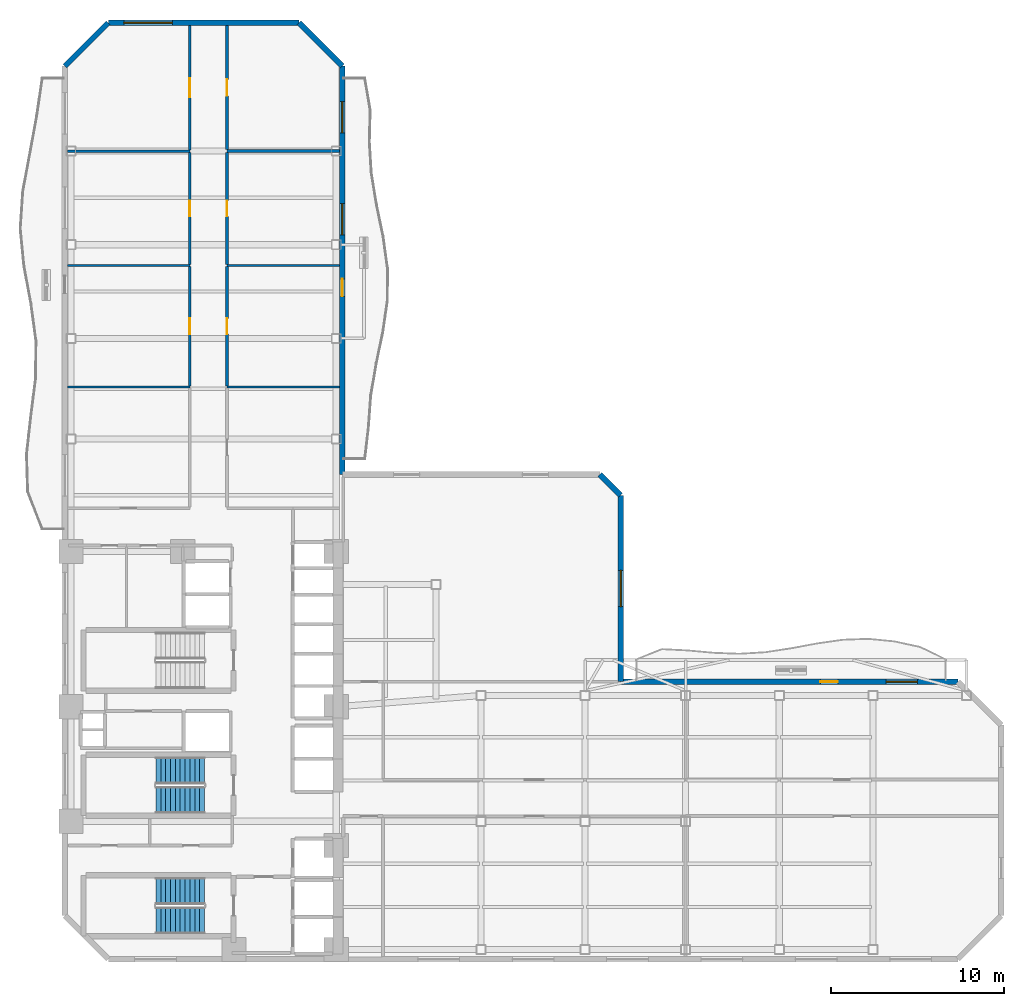
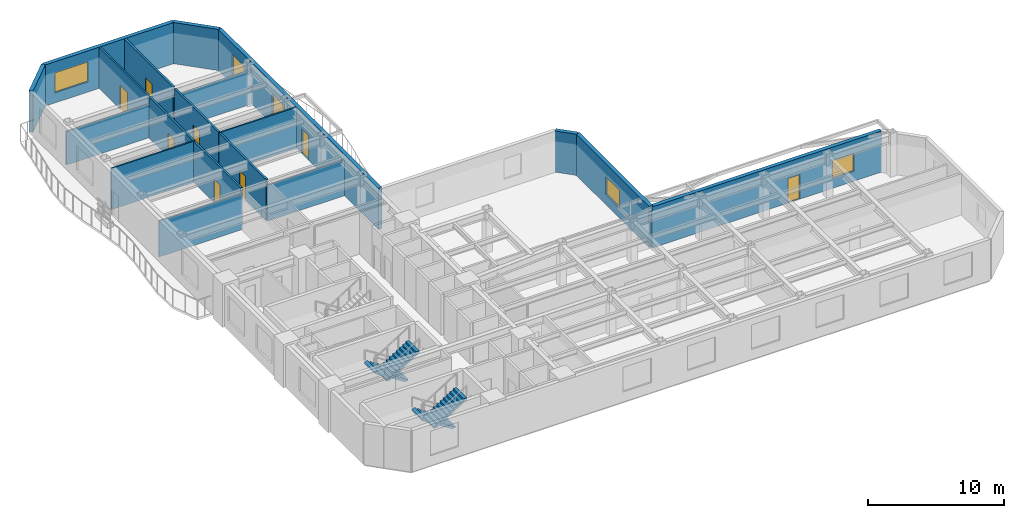
# One storey, part 6 of 10: 19 walls, 8 doors, 5 windows, 4 stair flights, 13 openings, 2 elements without a shape of their own.
"""IFC4 building model written with IfcOpenShell, lengths in metres."""

from ifc_helpers import new_model, si_unit, direction, frame, frame_2d, origin, place, context, subcontext, project, spatial, polyline, rectangle, outline, extrude, material, layer, layer_set, type_object, element, fill, aggregate, save


model = new_model("IFC4")

# Units and contexts
model_context = context("Model", 3, precision=1e-05, world=origin(), true_north=direction((0.0, 1.0)))
body_context = subcontext(model_context, "Body", "Model", "MODEL_VIEW")
ifc_project = project(units=[si_unit("LENGTHUNIT", "METRE"), si_unit("AREAUNIT", "SQUARE_METRE"), si_unit("VOLUMEUNIT", "CUBIC_METRE"), si_unit("PLANEANGLEUNIT", "RADIAN"), si_unit("MASSUNIT", "GRAM", prefix="KILO")], contexts=[model_context])

# Site, building, storey
site_placement = place(None, origin())
site = spatial("IfcSite", under=ifc_project, at=site_placement, CompositionType="ELEMENT")
building_placement = place(site_placement, origin())
building = spatial("IfcBuilding", under=site, at=building_placement, Name="Mawjaban Terraces University", CompositionType="ELEMENT")
storey_placement = place(building_placement, frame((0.0, 0.0, 46.60009765625)))
storey = spatial("IfcBuildingStorey", under=building, at=storey_placement, Name="L10", CompositionType="ELEMENT", Elevation=46.60009765625)

# Wall
ifc_material_1 = material(Name="Acoustic masonry blockwork", Category="masonry")
ifc_layer_1 = layer(ifc_material_1, 0.179931640625)
ifc_layer_set_1 = layer_set([ifc_layer_1], Name="Acoustic masonry blockwork")
wall_type_1 = type_object("IfcWallType", Name="AcousticStudioWall_180", PredefinedType="PARTITIONING", material=ifc_layer_set_1)
wall_1_placement = place(storey_placement, frame((37.844970703125, 46.60009765625, 0.0), z_axis=(0.0, 0.0, 1.0), x_axis=(-1.0, 0.0, 0.0)))
element("IfcWall", 1, at=wall_1_placement, inside=storey, type_object=wall_type_1, Name="L10 Student Tea Pantry 11 Partition 18", PredefinedType="PARTITIONING", context=body_context, shape_type="SweptSolid", body=[
    extrude(rectangle(XDim=6.494873046875, YDim=0.179931640625, at=frame_2d((3.24755859375, 0.0))), origin(), (0.0, 0.0, 1.0), 2.994873046875),
])

# Wall, opening, door
wall_2_placement = place(storey_placement, frame((31.35009765625, 46.68505859375, 0.0), z_axis=(0.0, 0.0, 1.0), x_axis=(0.0, 1.0, 0.0)))
wall_2 = element("IfcWall", 2, at=wall_2_placement, inside=storey, type_object=wall_type_1, Name="L10 North Academic Spine Corridor Partition 37", PredefinedType="PARTITIONING", context=body_context, shape_type="SweptSolid", body=[
    extrude(rectangle(XDim=7.159912109375, YDim=0.179931640625, at=frame_2d((3.580078125, 0.0))), origin(), (0.0, 0.0, 1.0), 3.68994140625),
])
opening_1_placement = place(wall_2_placement, frame((3.10498046875, 0.0, 0.0)))
opening_1 = element("IfcOpeningElement", 3, at=opening_1_placement, cuts=wall_2, Name="Opening ID-095", PredefinedType="OPENING", context=body_context, shape_type="SweptSolid", body=[
    extrude(rectangle(XDim=0.949951171875, YDim=2.10009765625, at=frame_2d((0.47509765625, 1.050048828125))), frame((0.0, 0.099853515625, 0.0), z_axis=(0.0, -1.0, 0.0), x_axis=(1.0, 0.0, 0.0)), (0.0, 0.0, 1.0), 0.199951171875),
])
ifc_material_2 = material(Name="Powder-coated steel frame and solid acoustic timber leaf", Category="steel")
door_type_1 = type_object("IfcDoorType", Name="StudioDoor_950x2100", OperationType="NOTDEFINED", PredefinedType="DOOR", material=ifc_material_2)
door_1_placement = place(opening_1_placement, origin())
door_1 = element("IfcDoor", 4, at=door_1_placement, inside=storey, type_object=door_type_1, Name="L10 Design Studio 13 Door", OperationType="SINGLE_SWING_RIGHT", OverallHeight=2.10009765625, OverallWidth=0.949951171875, PredefinedType="DOOR", context=body_context, shape_type="SweptSolid", body=[
    extrude(rectangle(XDim=0.949951171875, YDim=2.10009765625, at=frame_2d((0.47509765625, 1.050048828125))), frame((0.0, 0.02490234375, 0.0), z_axis=(0.0, -1.0, 0.0), x_axis=(1.0, 0.0, 0.0)), (0.0, 0.0, 1.0), 0.050048828125),
])
fill(opening_1, door_1)

ifc_material_3 = material(Name="Fire-rated gypsum board on steel stud", Category="steel")
ifc_layer_2 = layer(ifc_material_3, 0.159912109375)
ifc_layer_set_2 = layer_set([ifc_layer_2], Name="Fire-rated gypsum board on steel stud")
wall_type_2 = type_object("IfcWallType", Name="CorridorPartition_160", PredefinedType="PARTITIONING", material=ifc_layer_set_2)
wall_3_placement = place(storey_placement, frame((29.199951171875, 39.943115234375, 0.0), z_axis=(0.0, 0.0, 1.0), x_axis=(0.0, -1.0, 0.0)))
wall_3 = element("IfcWall", 5, at=wall_3_placement, inside=storey, type_object=wall_type_2, Name="L10 North Academic Spine Corridor Partition 31", PredefinedType="PARTITIONING", context=body_context, shape_type="SweptSolid", body=[
    extrude(rectangle(XDim=6.88623046875, YDim=0.159912109375, at=frame_2d((3.443115234375, 0.0))), origin(), (0.0, 0.0, 1.0), 3.68994140625),
])
opening_2_placement = place(wall_3_placement, frame((2.992919921875, 0.0, 0.0)))
opening_2 = element("IfcOpeningElement", 6, at=opening_2_placement, cuts=wall_3, Name="Opening ID-090", PredefinedType="OPENING", context=body_context, shape_type="SweptSolid", body=[
    extrude(rectangle(XDim=0.89990234375, YDim=2.10009765625, at=frame_2d((0.449951171875, 1.050048828125))), frame((0.0, 0.08984375, 0.0), z_axis=(0.0, -1.0, 0.0), x_axis=(1.0, 0.0, 0.0)), (0.0, 0.0, 1.0), 0.179931640625),
])
door_type_2 = type_object("IfcDoorType", Name="OfficeDoor_900x2100", OperationType="NOTDEFINED", PredefinedType="DOOR", material=ifc_material_2)
door_2_placement = place(opening_2_placement, origin())
door_2 = element("IfcDoor", 7, at=door_2_placement, inside=storey, type_object=door_type_2, Name="L10 Faculty Office 8 Door", OperationType="SINGLE_SWING_LEFT", OverallHeight=2.10009765625, OverallWidth=0.89990234375, PredefinedType="DOOR", context=body_context, shape_type="SweptSolid", body=[
    extrude(rectangle(XDim=0.89990234375, YDim=2.10009765625, at=frame_2d((0.449951171875, 1.050048828125))), frame((0.0, 0.02490234375, 0.0), z_axis=(0.0, -1.0, 0.0), x_axis=(1.0, 0.0, 0.0)), (0.0, 0.0, 1.0), 0.050048828125),
])
fill(opening_2, door_2)

wall_4_placement = place(storey_placement, frame((29.199951171875, 46.531982421875, 0.0), z_axis=(0.0, 0.0, 1.0), x_axis=(0.0, -1.0, 0.0)))
wall_4 = element("IfcWall", 8, at=wall_4_placement, inside=storey, type_object=wall_type_2, Name="L10 North Academic Spine Corridor Partition 32", PredefinedType="PARTITIONING", context=body_context, shape_type="SweptSolid", body=[
    extrude(rectangle(XDim=6.47509765625, YDim=0.159912109375, at=frame_2d((3.237548828125, 0.0))), origin(), (0.0, 0.0, 1.0), 3.68994140625),
])
opening_3_placement = place(wall_4_placement, frame((2.787109375, 0.0, 0.0)))
opening_3 = element("IfcOpeningElement", 9, at=opening_3_placement, cuts=wall_4, Name="Opening ID-090", PredefinedType="OPENING", context=body_context, shape_type="SweptSolid", body=[
    extrude(rectangle(XDim=0.89990234375, YDim=2.10009765625, at=frame_2d((0.449951171875, 1.050048828125))), frame((0.0, 0.08984375, 0.0), z_axis=(0.0, -1.0, 0.0), x_axis=(1.0, 0.0, 0.0)), (0.0, 0.0, 1.0), 0.179931640625),
])
door_3_placement = place(opening_3_placement, origin())
door_3 = element("IfcDoor", 10, at=door_3_placement, inside=storey, type_object=door_type_2, Name="L10 Faculty Office 10 Door", OperationType="SINGLE_SWING_LEFT", OverallHeight=2.10009765625, OverallWidth=0.89990234375, PredefinedType="DOOR", context=body_context, shape_type="SweptSolid", body=[
    extrude(rectangle(XDim=0.89990234375, YDim=2.10009765625, at=frame_2d((0.449951171875, 1.050048828125))), frame((0.0, 0.02490234375, 0.0), z_axis=(0.0, -1.0, 0.0), x_axis=(1.0, 0.0, 0.0)), (0.0, 0.0, 1.0), 0.050048828125),
])
fill(opening_3, door_3)

wall_5_placement = place(storey_placement, frame((31.35009765625, 33.056884765625, 0.0), z_axis=(0.0, 0.0, 1.0), x_axis=(0.0, 1.0, 0.0)))
wall_5 = element("IfcWall", 11, at=wall_5_placement, inside=storey, type_object=wall_type_2, Name="L10 North Academic Spine Corridor Partition 35", PredefinedType="PARTITIONING", context=body_context, shape_type="SweptSolid", body=[
    extrude(rectangle(XDim=6.88623046875, YDim=0.159912109375, at=frame_2d((3.443115234375, 0.0))), origin(), (0.0, 0.0, 1.0), 3.68994140625),
])
opening_4_placement = place(wall_5_placement, frame((2.992919921875, 0.0, 0.0)))
opening_4 = element("IfcOpeningElement", 12, at=opening_4_placement, cuts=wall_5, Name="Opening ID-090", PredefinedType="OPENING", context=body_context, shape_type="SweptSolid", body=[
    extrude(rectangle(XDim=0.89990234375, YDim=2.10009765625, at=frame_2d((0.449951171875, 1.050048828125))), frame((0.0, 0.08984375, 0.0), z_axis=(0.0, -1.0, 0.0), x_axis=(1.0, 0.0, 0.0)), (0.0, 0.0, 1.0), 0.179931640625),
])
door_4_placement = place(opening_4_placement, origin())
door_4 = element("IfcDoor", 13, at=door_4_placement, inside=storey, type_object=door_type_2, Name="L10 Departmental Office 9 Door", OperationType="SINGLE_SWING_RIGHT", OverallHeight=2.10009765625, OverallWidth=0.89990234375, PredefinedType="DOOR", context=body_context, shape_type="SweptSolid", body=[
    extrude(rectangle(XDim=0.89990234375, YDim=2.10009765625, at=frame_2d((0.449951171875, 1.050048828125))), frame((0.0, 0.02490234375, 0.0), z_axis=(0.0, -1.0, 0.0), x_axis=(1.0, 0.0, 0.0)), (0.0, 0.0, 1.0), 0.050048828125),
])
fill(opening_4, door_4)

wall_6_placement = place(storey_placement, frame((31.35009765625, 40.056884765625, 0.0), z_axis=(0.0, 0.0, 1.0), x_axis=(0.0, 1.0, 0.0)))
wall_6 = element("IfcWall", 14, at=wall_6_placement, inside=storey, type_object=wall_type_2, Name="L10 North Academic Spine Corridor Partition 36", PredefinedType="PARTITIONING", context=body_context, shape_type="SweptSolid", body=[
    extrude(rectangle(XDim=6.4580078125, YDim=0.159912109375, at=frame_2d((3.22900390625, 0.0))), origin(), (0.0, 0.0, 1.0), 3.68994140625),
])
opening_5_placement = place(wall_6_placement, frame((2.779052734375, 0.0, 0.0)))
opening_5 = element("IfcOpeningElement", 15, at=opening_5_placement, cuts=wall_6, Name="Opening ID-090", PredefinedType="OPENING", context=body_context, shape_type="SweptSolid", body=[
    extrude(rectangle(XDim=0.89990234375, YDim=2.10009765625, at=frame_2d((0.449951171875, 1.050048828125))), frame((0.0, 0.08984375, 0.0), z_axis=(0.0, -1.0, 0.0), x_axis=(1.0, 0.0, 0.0)), (0.0, 0.0, 1.0), 0.179931640625),
])
door_5_placement = place(opening_5_placement, origin())
door_5 = element("IfcDoor", 16, at=door_5_placement, inside=storey, type_object=door_type_2, Name="L10 Student Tea Pantry 11 Door", OperationType="SINGLE_SWING_RIGHT", OverallHeight=2.10009765625, OverallWidth=0.89990234375, PredefinedType="DOOR", context=body_context, shape_type="SweptSolid", body=[
    extrude(rectangle(XDim=0.89990234375, YDim=2.10009765625, at=frame_2d((0.449951171875, 1.050048828125))), frame((0.0, 0.02490234375, 0.0), z_axis=(0.0, -1.0, 0.0), x_axis=(1.0, 0.0, 0.0)), (0.0, 0.0, 1.0), 0.050048828125),
])
fill(opening_5, door_5)

# Wall, openings, door, window
ifc_material_4 = material(Name="Insulated terracotta rainscreen on concrete backup C40/50", Category="masonry")
ifc_layer_3 = layer(ifc_material_4, 0.320068359375)
ifc_layer_set_3 = layer_set([ifc_layer_3], Name="Insulated terracotta rainscreen on concrete backup C40/50")
wall_type_3 = type_object("IfcWallType", Name="ExtTerracottaWall_320", PredefinedType="SOLIDWALL", material=ifc_layer_set_3)
wall_7_placement = place(storey_placement, frame((73.5, 16.0, 0.0), z_axis=(0.0, 0.0, 1.0), x_axis=(-1.0, 0.0, 0.0)))
wall_7 = element("IfcWall", 17, at=wall_7_placement, inside=storey, type_object=wall_type_3, Name="L10 Exterior Terracotta Wall 5", PredefinedType="SOLIDWALL", context=body_context, shape_type="SweptSolid", body=[
    extrude(rectangle(XDim=19.449951171875, YDim=0.320068359375, at=frame_2d((9.72509765625, 0.0))), origin(), (0.0, 0.0, 1.0), 3.68994140625),
])
opening_6_placement = place(wall_7_placement, frame((6.925048828125, 0.0, 0.0)))
opening_6 = element("IfcOpeningElement", 18, at=opening_6_placement, cuts=wall_7, Name="Opening BD-100", PredefinedType="OPENING", context=body_context, shape_type="SweptSolid", body=[
    extrude(rectangle(XDim=1.0, YDim=2.199951171875, at=frame_2d((0.5, 1.10009765625))), frame((0.0, 0.169921875, 0.0), z_axis=(0.0, -1.0, 0.0), x_axis=(1.0, 0.0, 0.0)), (0.0, 0.0, 1.0), 0.340087890625),
])
opening_7_placement = place(wall_7_placement, frame((2.342041015625, 0.0, 0.89990234375)))
opening_7 = element("IfcOpeningElement", 19, at=opening_7_placement, cuts=wall_7, Name="Opening W-03", PredefinedType="OPENING", context=body_context, shape_type="SweptSolid", body=[
    extrude(rectangle(XDim=1.800048828125, YDim=1.60009765625, at=frame_2d((0.89990234375, 0.800048828125))), frame((0.0, 0.169921875, 0.0), z_axis=(0.0, -1.0, 0.0), x_axis=(1.0, 0.0, 0.0)), (0.0, 0.0, 1.0), 0.340087890625),
])
ifc_material_5 = material(Name="Thermally broken anodised aluminium and laminated safety glass", Category="aluminium")
door_type_3 = type_object("IfcDoorType", Name="BalconyGlazedDoor_1000x2200", OperationType="NOTDEFINED", PredefinedType="DOOR", material=ifc_material_5)
door_6_placement = place(opening_6_placement, origin())
door_6 = element("IfcDoor", 20, at=door_6_placement, inside=storey, type_object=door_type_3, Name="L10 Balcony Access Door inner_north", OperationType="SINGLE_SWING_LEFT", OverallHeight=2.199951171875, OverallWidth=1.0, PredefinedType="DOOR", context=body_context, shape_type="SweptSolid", body=[
    extrude(rectangle(XDim=1.0, YDim=2.199951171875, at=frame_2d((0.5, 1.10009765625))), frame((0.0, 0.02490234375, 0.0), z_axis=(0.0, -1.0, 0.0), x_axis=(1.0, 0.0, 0.0)), (0.0, 0.0, 1.0), 0.050048828125),
])
fill(opening_6, door_6)
ifc_material_6 = material(Name="Low-E solar-control double glazing in thermally broken aluminium frame", Category="aluminium")
window_type_1 = type_object("IfcWindowType", Name="Win_1800x1600", PartitioningType="SINGLE_PANEL", PredefinedType="WINDOW", material=ifc_material_6)
window_1_placement = place(opening_7_placement, origin())
window_1 = element("IfcWindow", 21, at=window_1_placement, inside=storey, type_object=window_type_1, Name="L10 Facade Window 5.1", OverallHeight=1.60009765625, OverallWidth=1.800048828125, PartitioningType="SINGLE_PANEL", PredefinedType="WINDOW", context=body_context, shape_type="SweptSolid", body=[
    extrude(rectangle(XDim=1.800048828125, YDim=1.60009765625, at=frame_2d((0.89990234375, 0.800048828125))), frame((0.0, 0.030029296875, 0.0), z_axis=(0.0, -1.0, 0.0), x_axis=(1.0, 0.0, 0.0)), (0.0, 0.0, 1.0), 0.06005859375),
])
fill(opening_7, window_1)

# Wall, opening, window
wall_8_placement = place(storey_placement, frame((54.050048828125, 16.0, 0.0), z_axis=(0.0, 0.0, 1.0), x_axis=(0.0, 1.0, 0.0)))
wall_8 = element("IfcWall", 22, at=wall_8_placement, inside=storey, type_object=wall_type_3, Name="L10 Exterior Terracotta Wall 6", PredefinedType="SOLIDWALL", context=body_context, shape_type="SweptSolid", body=[
    extrude(rectangle(XDim=10.7470703125, YDim=0.320068359375, at=frame_2d((5.37353515625, 0.0))), origin(), (0.0, 0.0, 1.0), 3.68994140625),
])
opening_8_placement = place(wall_8_placement, frame((4.323974609375, 0.0, 0.89990234375)))
opening_8 = element("IfcOpeningElement", 23, at=opening_8_placement, cuts=wall_8, Name="Opening W-04", PredefinedType="OPENING", context=body_context, shape_type="SweptSolid", body=[
    extrude(rectangle(XDim=2.10009765625, YDim=1.60009765625, at=frame_2d((1.050048828125, 0.800048828125))), frame((0.0, 0.169921875, 0.0), z_axis=(0.0, -1.0, 0.0), x_axis=(1.0, 0.0, 0.0)), (0.0, 0.0, 1.0), 0.340087890625),
])
window_type_2 = type_object("IfcWindowType", Name="Win_2100x1600", PartitioningType="SINGLE_PANEL", PredefinedType="WINDOW", material=ifc_material_6)
window_2_placement = place(opening_8_placement, origin())
window_2 = element("IfcWindow", 24, at=window_2_placement, inside=storey, type_object=window_type_2, Name="L10 Facade Window 6.1", OverallHeight=1.60009765625, OverallWidth=2.10009765625, PartitioningType="SINGLE_PANEL", PredefinedType="WINDOW", context=body_context, shape_type="SweptSolid", body=[
    extrude(rectangle(XDim=2.10009765625, YDim=1.60009765625, at=frame_2d((1.050048828125, 0.800048828125))), frame((0.0, 0.030029296875, 0.0), z_axis=(0.0, -1.0, 0.0), x_axis=(1.0, 0.0, 0.0)), (0.0, 0.0, 1.0), 0.06005859375),
])
fill(opening_8, window_2)

# Wall
wall_9_placement = place(storey_placement, frame((54.050048828125, 26.7470703125, 0.0), z_axis=(0.0, 0.0, 1.0), x_axis=(-0.707106781187, 0.707106781187, 0.0)))
element("IfcWall", 25, at=wall_9_placement, inside=storey, type_object=wall_type_3, Name="L10 Exterior Terracotta Wall 7", PredefinedType="SOLIDWALL", context=body_context, shape_type="SweptSolid", body=[
    extrude(rectangle(XDim=1.697021484375, YDim=0.320068359375, at=frame_2d((0.8486328125, 0.0))), origin(), (0.0, 0.0, 1.0), 3.68994140625),
])

# Wall, openings, door, windows
wall_10_placement = place(storey_placement, frame((38.0, 27.947021484375, 0.0), z_axis=(0.0, 0.0, 1.0), x_axis=(0.0, 1.0, 0.0)))
wall_10 = element("IfcWall", 26, at=wall_10_placement, inside=storey, type_object=wall_type_3, Name="L10 Exterior Terracotta Wall 9", PredefinedType="SOLIDWALL", context=body_context, shape_type="SweptSolid", body=[
    extrude(rectangle(XDim=23.552978515625, YDim=0.320068359375, at=frame_2d((11.7763671875, 0.0))), origin(), (0.0, 0.0, 1.0), 3.68994140625),
])
opening_9_placement = place(wall_10_placement, frame((10.27587890625, 0.0, 0.0)))
opening_9 = element("IfcOpeningElement", 27, at=opening_9_placement, cuts=wall_10, Name="Opening BD-100", PredefinedType="OPENING", context=body_context, shape_type="SweptSolid", body=[
    extrude(rectangle(XDim=1.0, YDim=2.199951171875, at=frame_2d((0.5, 1.10009765625))), frame((0.0, 0.169921875, 0.0), z_axis=(0.0, -1.0, 0.0), x_axis=(1.0, 0.0, 0.0)), (0.0, 0.0, 1.0), 0.340087890625),
])
opening_10_placement = place(wall_10_placement, frame((13.821044921875, 0.0, 0.89990234375)))
opening_10 = element("IfcOpeningElement", 28, at=opening_10_placement, cuts=wall_10, Name="Opening W-07", PredefinedType="OPENING", context=body_context, shape_type="SweptSolid", body=[
    extrude(rectangle(XDim=1.800048828125, YDim=1.800048828125, at=frame_2d((0.89990234375, 0.89990234375))), frame((0.0, 0.169921875, 0.0), z_axis=(0.0, -1.0, 0.0), x_axis=(1.0, 0.0, 0.0)), (0.0, 0.0, 1.0), 0.340087890625),
])
opening_11_placement = place(wall_10_placement, frame((19.708984375, 0.0, 0.89990234375)))
opening_11 = element("IfcOpeningElement", 29, at=opening_11_placement, cuts=wall_10, Name="Opening W-07", PredefinedType="OPENING", context=body_context, shape_type="SweptSolid", body=[
    extrude(rectangle(XDim=1.800048828125, YDim=1.800048828125, at=frame_2d((0.89990234375, 0.89990234375))), frame((0.0, 0.169921875, 0.0), z_axis=(0.0, -1.0, 0.0), x_axis=(1.0, 0.0, 0.0)), (0.0, 0.0, 1.0), 0.340087890625),
])
door_7_placement = place(opening_9_placement, origin())
door_7 = element("IfcDoor", 30, at=door_7_placement, inside=storey, type_object=door_type_3, Name="L10 Balcony Access Door inner_east", OperationType="SINGLE_SWING_LEFT", OverallHeight=2.199951171875, OverallWidth=1.0, PredefinedType="DOOR", context=body_context, shape_type="SweptSolid", body=[
    extrude(rectangle(XDim=1.0, YDim=2.199951171875, at=frame_2d((0.5, 1.10009765625))), frame((0.0, 0.02490234375, 0.0), z_axis=(0.0, -1.0, 0.0), x_axis=(1.0, 0.0, 0.0)), (0.0, 0.0, 1.0), 0.050048828125),
])
fill(opening_9, door_7)
window_type_3 = type_object("IfcWindowType", Name="Win_1800x1800", PartitioningType="SINGLE_PANEL", PredefinedType="WINDOW", material=ifc_material_6)
window_3_placement = place(opening_10_placement, origin())
window_3 = element("IfcWindow", 31, at=window_3_placement, inside=storey, type_object=window_type_3, Name="L10 Facade Window 9.3", OverallHeight=1.800048828125, OverallWidth=1.800048828125, PartitioningType="SINGLE_PANEL", PredefinedType="WINDOW", context=body_context, shape_type="SweptSolid", body=[
    extrude(rectangle(XDim=1.800048828125, YDim=1.800048828125, at=frame_2d((0.89990234375, 0.89990234375))), frame((0.0, 0.030029296875, 0.0), z_axis=(0.0, -1.0, 0.0), x_axis=(1.0, 0.0, 0.0)), (0.0, 0.0, 1.0), 0.06005859375),
])
fill(opening_10, window_3)
window_4_placement = place(opening_11_placement, origin())
window_4 = element("IfcWindow", 32, at=window_4_placement, inside=storey, type_object=window_type_3, Name="L10 Facade Window 9.4", OverallHeight=1.800048828125, OverallWidth=1.800048828125, PartitioningType="SINGLE_PANEL", PredefinedType="WINDOW", context=body_context, shape_type="SweptSolid", body=[
    extrude(rectangle(XDim=1.800048828125, YDim=1.800048828125, at=frame_2d((0.89990234375, 0.89990234375))), frame((0.0, 0.030029296875, 0.0), z_axis=(0.0, -1.0, 0.0), x_axis=(1.0, 0.0, 0.0)), (0.0, 0.0, 1.0), 0.06005859375),
])
fill(opening_11, window_4)

# Wall
wall_11_placement = place(storey_placement, frame((38.0, 51.5, 0.0), z_axis=(0.0, 0.0, 1.0), x_axis=(-0.707106781187, 0.707106781187, 0.0)))
element("IfcWall", 33, at=wall_11_placement, inside=storey, type_object=wall_type_3, Name="L10 Exterior Terracotta Wall 10", PredefinedType="SOLIDWALL", context=body_context, shape_type="SweptSolid", body=[
    extrude(rectangle(XDim=3.53564453125, YDim=0.320068359375, at=frame_2d((1.767822265625, 0.0))), origin(), (0.0, 0.0, 1.0), 3.68994140625),
])

# Wall, opening, window
wall_12_placement = place(storey_placement, frame((35.5, 54.0, 0.0), z_axis=(0.0, 0.0, 1.0), x_axis=(-1.0, 0.0, 0.0)))
wall_12 = element("IfcWall", 34, at=wall_12_placement, inside=storey, type_object=wall_type_3, Name="L10 Exterior Terracotta Wall 11", PredefinedType="SOLIDWALL", context=body_context, shape_type="SweptSolid", body=[
    extrude(rectangle(XDim=11.0, YDim=0.320068359375, at=frame_2d((5.5, 0.0))), origin(), (0.0, 0.0, 1.0), 3.68994140625),
])
opening_12_placement = place(wall_12_placement, frame((7.300048828125, 0.0, 0.89990234375)))
opening_12 = element("IfcOpeningElement", 35, at=opening_12_placement, cuts=wall_12, Name="Opening W-09", PredefinedType="OPENING", context=body_context, shape_type="SweptSolid", body=[
    extrude(rectangle(XDim=2.800048828125, YDim=1.800048828125, at=frame_2d((1.39990234375, 0.89990234375))), frame((0.0, 0.169921875, 0.0), z_axis=(0.0, -1.0, 0.0), x_axis=(1.0, 0.0, 0.0)), (0.0, 0.0, 1.0), 0.340087890625),
])
window_type_4 = type_object("IfcWindowType", Name="Win_2800x1800", PartitioningType="SINGLE_PANEL", PredefinedType="WINDOW", material=ifc_material_6)
window_5_placement = place(opening_12_placement, origin())
window_5 = element("IfcWindow", 36, at=window_5_placement, inside=storey, type_object=window_type_4, Name="L10 Facade Window 11.2", OverallHeight=1.800048828125, OverallWidth=2.800048828125, PartitioningType="SINGLE_PANEL", PredefinedType="WINDOW", context=body_context, shape_type="SweptSolid", body=[
    extrude(rectangle(XDim=2.800048828125, YDim=1.800048828125, at=frame_2d((1.39990234375, 0.89990234375))), frame((0.0, 0.030029296875, 0.0), z_axis=(0.0, -1.0, 0.0), x_axis=(1.0, 0.0, 0.0)), (0.0, 0.0, 1.0), 0.06005859375),
])
fill(opening_12, window_5)

# Walls
wall_13_placement = place(storey_placement, frame((24.5, 54.0, 0.0), z_axis=(0.0, 0.0, 1.0), x_axis=(-0.707106781187, -0.707106781187, 0.0)))
element("IfcWall", 37, at=wall_13_placement, inside=storey, type_object=wall_type_3, Name="L10 Exterior Terracotta Wall 12", PredefinedType="SOLIDWALL", context=body_context, shape_type="SweptSolid", body=[
    extrude(rectangle(XDim=3.53564453125, YDim=0.320068359375, at=frame_2d((1.767822265625, 0.0))), origin(), (0.0, 0.0, 1.0), 3.68994140625),
])
ifc_material_7 = material(Name="Moisture-resistant gypsum board on steel stud", Category="steel")
ifc_layer_4 = layer(ifc_material_7, 0.14501953125)
ifc_layer_set_4 = layer_set([ifc_layer_4], Name="Moisture-resistant gypsum board on steel stud")
wall_type_4 = type_object("IfcWallType", Name="LabPartition_145", PredefinedType="PARTITIONING", material=ifc_layer_set_4)
wall_14_placement = place(storey_placement, frame((29.199951171875, 46.60009765625, 0.0), z_axis=(0.0, 0.0, 1.0), x_axis=(-1.0, 0.0, 0.0)))
element("IfcWall", 38, at=wall_14_placement, inside=storey, type_object=wall_type_4, Name="L10 Faculty Office 10 Partition 10", PredefinedType="PARTITIONING", context=body_context, shape_type="SweptSolid", body=[
    extrude(rectangle(XDim=7.044921875, YDim=0.14501953125, at=frame_2d((3.5224609375, 0.0))), origin(), (0.0, 0.0, 1.0), 2.994873046875),
])

# Wall, opening, door
wall_15_placement = place(storey_placement, frame((29.199951171875, 53.844970703125, 0.0), z_axis=(0.0, 0.0, 1.0), x_axis=(0.0, -1.0, 0.0)))
wall_15 = element("IfcWall", 39, at=wall_15_placement, inside=storey, type_object=wall_type_4, Name="L10 North Academic Spine Corridor Partition 33", PredefinedType="PARTITIONING", context=body_context, shape_type="SweptSolid", body=[
    extrude(rectangle(XDim=7.177001953125, YDim=0.14501953125, at=frame_2d((3.58837890625, 0.0))), origin(), (0.0, 0.0, 1.0), 3.68994140625),
])
opening_13_placement = place(wall_15_placement, frame((3.0380859375, 0.0, 0.0)))
opening_13 = element("IfcOpeningElement", 40, at=opening_13_placement, cuts=wall_15, Name="Opening ID-110", PredefinedType="OPENING", context=body_context, shape_type="SweptSolid", body=[
    extrude(rectangle(XDim=1.10009765625, YDim=2.14990234375, at=frame_2d((0.550048828125, 1.074951171875))), frame((0.0, 0.08251953125, 0.0), z_axis=(0.0, -1.0, 0.0), x_axis=(1.0, 0.0, 0.0)), (0.0, 0.0, 1.0), 0.1650390625),
])
door_type_4 = type_object("IfcDoorType", Name="LabDoor_1100x2150", OperationType="NOTDEFINED", PredefinedType="DOOR", material=ifc_material_2)
door_8_placement = place(opening_13_placement, origin())
door_8 = element("IfcDoor", 41, at=door_8_placement, inside=storey, type_object=door_type_4, Name="L10 Teaching Laboratory 12 Door", OperationType="SINGLE_SWING_LEFT", OverallHeight=2.14990234375, OverallWidth=1.10009765625, PredefinedType="DOOR", context=body_context, shape_type="SweptSolid", body=[
    extrude(rectangle(XDim=1.10009765625, YDim=2.14990234375, at=frame_2d((0.550048828125, 1.074951171875))), frame((0.0, 0.02490234375, 0.0), z_axis=(0.0, -1.0, 0.0), x_axis=(1.0, 0.0, 0.0)), (0.0, 0.0, 1.0), 0.050048828125),
])
fill(opening_13, door_8)

# Walls
ifc_material_8 = material(Name="Gypsum plasterboard on steel stud", Category="steel")
ifc_layer_5 = layer(ifc_material_8, 0.125)
ifc_layer_set_5 = layer_set([ifc_layer_5], Name="Gypsum plasterboard on steel stud")
wall_type_5 = type_object("IfcWallType", Name="OfficePartition_125", PredefinedType="PARTITIONING", material=ifc_layer_set_5)
wall_16_placement = place(storey_placement, frame((29.199951171875, 33.0, 0.0), z_axis=(0.0, 0.0, 1.0), x_axis=(-1.0, 0.0, 0.0)))
element("IfcWall", 42, at=wall_16_placement, inside=storey, type_object=wall_type_5, Name="L10 Departmental Office 6 Partition 8", PredefinedType="PARTITIONING", context=body_context, shape_type="SweptSolid", body=[
    extrude(rectangle(XDim=7.044921875, YDim=0.125, at=frame_2d((3.5224609375, 0.0))), origin(), (0.0, 0.0, 1.0), 3.226806640625),
])
wall_17_placement = place(storey_placement, frame((29.199951171875, 40.0, 0.0), z_axis=(0.0, 0.0, 1.0), x_axis=(-1.0, 0.0, 0.0)))
element("IfcWall", 43, at=wall_17_placement, inside=storey, type_object=wall_type_5, Name="L10 Faculty Office 8 Partition 9", PredefinedType="PARTITIONING", context=body_context, shape_type="SweptSolid", body=[
    extrude(rectangle(XDim=7.044921875, YDim=0.125, at=frame_2d((3.5224609375, 0.0))), origin(), (0.0, 0.0, 1.0), 3.68994140625),
])
wall_18_placement = place(storey_placement, frame((37.844970703125, 33.0, 0.0), z_axis=(0.0, 0.0, 1.0), x_axis=(-1.0, 0.0, 0.0)))
element("IfcWall", 44, at=wall_18_placement, inside=storey, type_object=wall_type_5, Name="L10 Academic Workspace 7 Partition 16", PredefinedType="PARTITIONING", context=body_context, shape_type="SweptSolid", body=[
    extrude(rectangle(XDim=6.494873046875, YDim=0.125, at=frame_2d((3.24755859375, 0.0))), origin(), (0.0, 0.0, 1.0), 3.226806640625),
])
wall_19_placement = place(storey_placement, frame((37.844970703125, 40.0, 0.0), z_axis=(0.0, 0.0, 1.0), x_axis=(-1.0, 0.0, 0.0)))
element("IfcWall", 45, at=wall_19_placement, inside=storey, type_object=wall_type_5, Name="L10 Departmental Office 9 Partition 17", PredefinedType="PARTITIONING", context=body_context, shape_type="SweptSolid", body=[
    extrude(rectangle(XDim=6.494873046875, YDim=0.125, at=frame_2d((3.24755859375, 0.0))), origin(), (0.0, 0.0, 1.0), 3.68994140625),
])

# Stair, stair flights
ifc_material_9 = material(Name="Concrete C40/50", Category="concrete")
stair_type = type_object("IfcStairType", Name="Stair_Core1550_H39", PredefinedType="HALF_TURN_STAIR", material=ifc_material_9)
stair_1_placement = place(storey_placement, origin())
stair_1 = element("IfcStair", 46, at=stair_1_placement, inside=storey, type_object=stair_type, Name="L10 Core Exit Stair 1", PredefinedType="HALF_TURN_STAIR")
stair_flight_type = type_object("IfcStairFlightType", Name="Flight_Core1550_H39", PredefinedType="STRAIGHT", material=ifc_material_9)
stair_flight_1_placement = place(storey_placement, frame((30.050048828125, 3.925048828125, 0.0), z_axis=(0.0, 0.0, 1.0), x_axis=(-1.0, 0.0, 0.0)))
stair_flight_1 = element("IfcStairFlight", 47, at=stair_flight_1_placement, type_object=stair_flight_type, Name="ST-1 flight 1", NumberOfRisers=11, NumberOfTreads=10, PredefinedType="STRAIGHT", RiserHeight=0.177272727, TreadLength=0.28, context=body_context, shape_type="SweptSolid", body=[
    extrude(outline(polyline([(0.0, 0.0), (0.0, 0.17724609375), (0.280029296875, 0.17724609375), (0.280029296875, 0.3544921875), (0.56005859375, 0.3544921875), (0.56005859375, 0.53173828125), (0.840087890625, 0.53173828125), (0.840087890625, 0.708984375), (1.1201171875, 0.708984375), (1.1201171875, 0.886474609375), (1.39990234375, 0.886474609375), (1.39990234375, 1.063720703125), (1.679931640625, 1.063720703125), (1.679931640625, 1.240966796875), (1.9599609375, 1.240966796875), (1.9599609375, 1.418212890625), (2.239990234375, 1.418212890625), (2.239990234375, 1.595458984375), (2.52001953125, 1.595458984375), (2.52001953125, 1.772705078125), (2.800048828125, 1.772705078125), (2.800048828125, 1.949951171875), (2.800048828125, 1.59521484375), (0.2802734375, 0.0), (0.0, 0.0)])), frame((0.0, 0.77490234375, 0.0), z_axis=(0.0, -1.0, 0.0), x_axis=(1.0, 0.0, 0.0)), (0.0, 0.0, 1.0), 1.550048828125),
])
stair_flight_2_placement = place(storey_placement, frame((27.25, 2.22509765625, 1.949951171875), z_axis=(0.0, 0.0, 1.0), x_axis=(1.0, 0.0, 0.0)))
stair_flight_2 = element("IfcStairFlight", 48, at=stair_flight_2_placement, type_object=stair_flight_type, Name="ST-1 flight 2", NumberOfRisers=11, NumberOfTreads=10, PredefinedType="STRAIGHT", RiserHeight=0.177272727, TreadLength=0.28, context=body_context, shape_type="SweptSolid", body=[
    extrude(outline(polyline([(0.0, 0.0), (0.0, 0.17724609375), (0.280029296875, 0.17724609375), (0.280029296875, 0.3544921875), (0.56005859375, 0.3544921875), (0.56005859375, 0.53173828125), (0.840087890625, 0.53173828125), (0.840087890625, 0.708984375), (1.1201171875, 0.708984375), (1.1201171875, 0.886474609375), (1.39990234375, 0.886474609375), (1.39990234375, 1.063720703125), (1.679931640625, 1.063720703125), (1.679931640625, 1.240966796875), (1.9599609375, 1.240966796875), (1.9599609375, 1.418212890625), (2.239990234375, 1.418212890625), (2.239990234375, 1.595458984375), (2.52001953125, 1.595458984375), (2.52001953125, 1.772705078125), (2.800048828125, 1.772705078125), (2.800048828125, 1.949951171875), (2.800048828125, 1.59521484375), (0.2802734375, 0.0), (0.0, 0.0)])), frame((0.0, 0.77490234375, 0.0), z_axis=(0.0, -1.0, 0.0), x_axis=(1.0, 0.0, 0.0)), (0.0, 0.0, 1.0), 1.550048828125),
])
aggregate(stair_1, [stair_flight_1, stair_flight_2])

stair_2_placement = place(storey_placement, origin())
stair_2 = element("IfcStair", 49, at=stair_2_placement, inside=storey, type_object=stair_type, Name="L10 Core Exit Stair 3", PredefinedType="HALF_TURN_STAIR")
stair_flight_3_placement = place(storey_placement, frame((30.050048828125, 10.875, 0.0), z_axis=(0.0, 0.0, 1.0), x_axis=(-1.0, 0.0, 0.0)))
stair_flight_3 = element("IfcStairFlight", 50, at=stair_flight_3_placement, type_object=stair_flight_type, Name="ST-3 flight 1", NumberOfRisers=11, NumberOfTreads=10, PredefinedType="STRAIGHT", RiserHeight=0.177272727, TreadLength=0.28, context=body_context, shape_type="SweptSolid", body=[
    extrude(outline(polyline([(0.0, 0.0), (0.0, 0.17724609375), (0.280029296875, 0.17724609375), (0.280029296875, 0.3544921875), (0.56005859375, 0.3544921875), (0.56005859375, 0.53173828125), (0.840087890625, 0.53173828125), (0.840087890625, 0.708984375), (1.1201171875, 0.708984375), (1.1201171875, 0.886474609375), (1.39990234375, 0.886474609375), (1.39990234375, 1.063720703125), (1.679931640625, 1.063720703125), (1.679931640625, 1.240966796875), (1.9599609375, 1.240966796875), (1.9599609375, 1.418212890625), (2.239990234375, 1.418212890625), (2.239990234375, 1.595458984375), (2.52001953125, 1.595458984375), (2.52001953125, 1.772705078125), (2.800048828125, 1.772705078125), (2.800048828125, 1.949951171875), (2.800048828125, 1.59521484375), (0.2802734375, 0.0), (0.0, 0.0)])), frame((0.0, 0.77490234375, 0.0), z_axis=(0.0, -1.0, 0.0), x_axis=(1.0, 0.0, 0.0)), (0.0, 0.0, 1.0), 1.550048828125),
])
stair_flight_4_placement = place(storey_placement, frame((27.25, 9.175048828125, 1.949951171875), z_axis=(0.0, 0.0, 1.0), x_axis=(1.0, 0.0, 0.0)))
stair_flight_4 = element("IfcStairFlight", 51, at=stair_flight_4_placement, type_object=stair_flight_type, Name="ST-3 flight 2", NumberOfRisers=11, NumberOfTreads=10, PredefinedType="STRAIGHT", RiserHeight=0.177272727, TreadLength=0.28, context=body_context, shape_type="SweptSolid", body=[
    extrude(outline(polyline([(0.0, 0.0), (0.0, 0.17724609375), (0.280029296875, 0.17724609375), (0.280029296875, 0.3544921875), (0.56005859375, 0.3544921875), (0.56005859375, 0.53173828125), (0.840087890625, 0.53173828125), (0.840087890625, 0.708984375), (1.1201171875, 0.708984375), (1.1201171875, 0.886474609375), (1.39990234375, 0.886474609375), (1.39990234375, 1.063720703125), (1.679931640625, 1.063720703125), (1.679931640625, 1.240966796875), (1.9599609375, 1.240966796875), (1.9599609375, 1.418212890625), (2.239990234375, 1.418212890625), (2.239990234375, 1.595458984375), (2.52001953125, 1.595458984375), (2.52001953125, 1.772705078125), (2.800048828125, 1.772705078125), (2.800048828125, 1.949951171875), (2.800048828125, 1.59521484375), (0.2802734375, 0.0), (0.0, 0.0)])), frame((0.0, 0.77490234375, 0.0), z_axis=(0.0, -1.0, 0.0), x_axis=(1.0, 0.0, 0.0)), (0.0, 0.0, 1.0), 1.550048828125),
])
aggregate(stair_2, [stair_flight_3, stair_flight_4])

save(model, "model.ifc")
